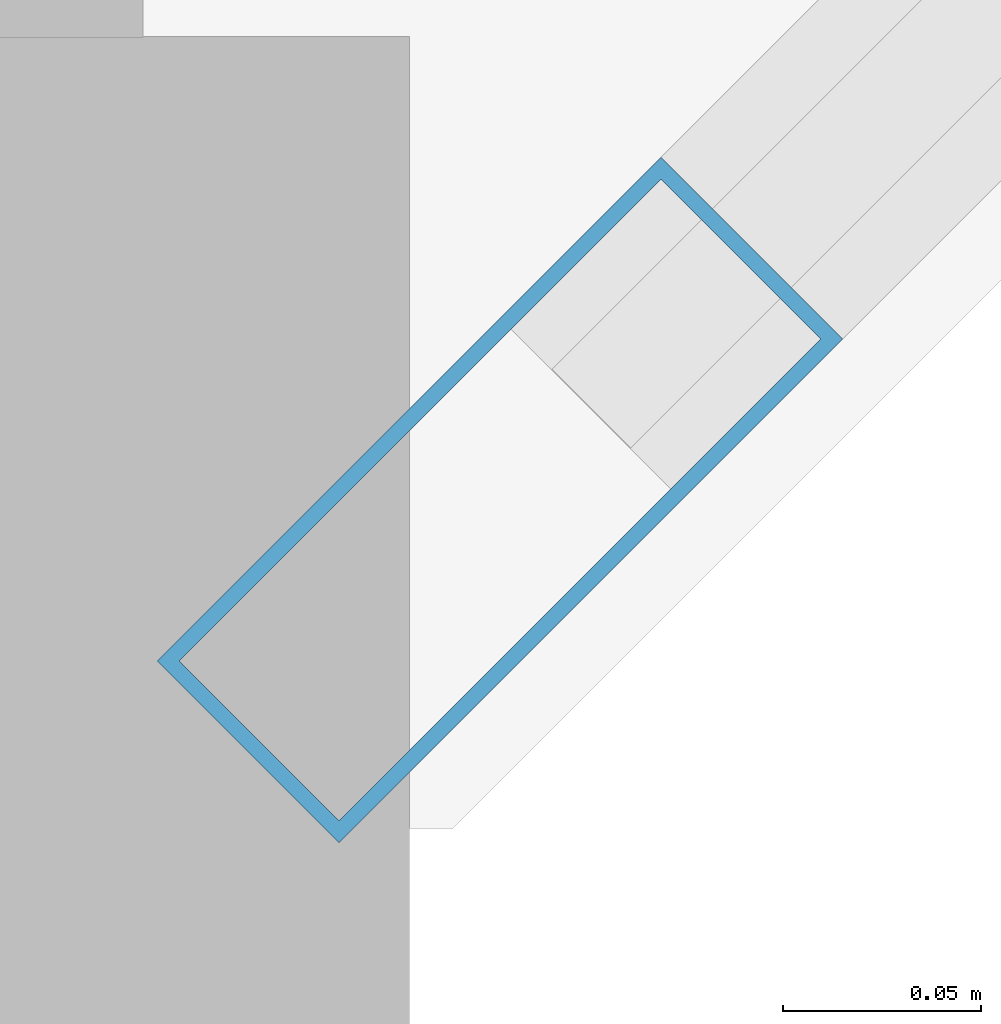
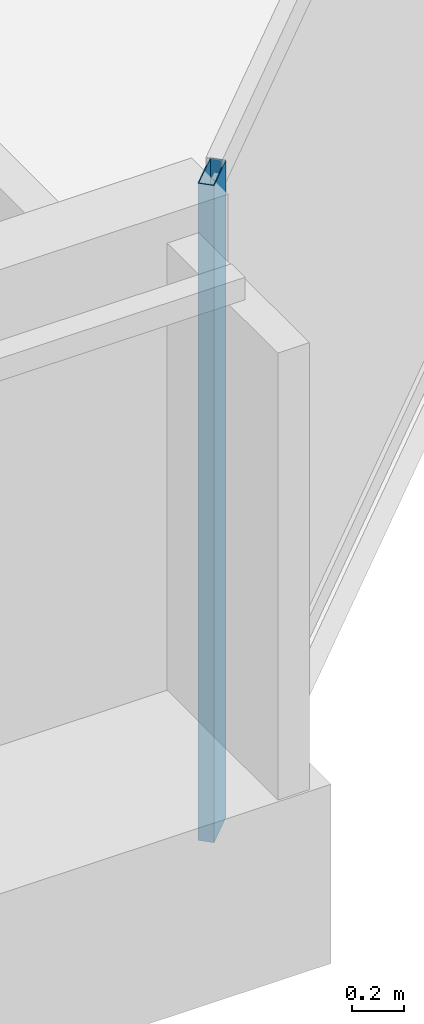
# One storey, part 13 of 34: 1 member, 1 element without a shape of its own.
"""IFC4 building model written with IfcOpenShell, lengths in metres."""

from ifc_helpers import new_model, si_unit, direction, frame, origin, origin_2d, place, context, subcontext, project, spatial, hollow_rectangle, extrude, material, layer, layer_set, material_profile, profile_set, type_object, element, aggregate, save


model = new_model("IFC4")

# Units and contexts
model_context = context("Model", 3, precision=1e-05, world=origin(), true_north=direction((0.0, 1.0)))
body_context = subcontext(model_context, "Body", "Model", "MODEL_VIEW")
ifc_project = project(units=[si_unit("LENGTHUNIT", "METRE"), si_unit("AREAUNIT", "SQUARE_METRE"), si_unit("VOLUMEUNIT", "CUBIC_METRE"), si_unit("PLANEANGLEUNIT", "RADIAN"), si_unit("MASSUNIT", "GRAM", prefix="KILO")], contexts=[model_context])

# Site, building, storey
site_placement = place(None, origin())
site = spatial("IfcSite", under=ifc_project, at=site_placement, CompositionType="ELEMENT")
building_placement = place(site_placement, origin())
building = spatial("IfcBuilding", under=site, at=building_placement, Name="Tanjung Sevakor Pilgrim Tower", CompositionType="ELEMENT")
storey_placement = place(building_placement, frame((0.0, 0.0, 55.43994140625)))
storey = spatial("IfcBuildingStorey", under=building, at=storey_placement, Name="L15", CompositionType="ELEMENT", Elevation=55.43994140625)

# Curtain wall, member
ifc_material_1 = material(Name="Aluminium 6063-T6 and Low-E Glass", Category="aluminium")
ifc_layer = layer(ifc_material_1, 0.179931640625)
ifc_layer_set = layer_set([ifc_layer], Name="CW-SYS-CHAM")
curtain_wall_type = type_object("IfcCurtainWallType", Name="CW-SYS-CHAM", PredefinedType="NOTDEFINED", material=ifc_layer_set)
curtain_wall_placement = place(storey_placement, origin())
curtain_wall = element("IfcCurtainWall", 1, at=curtain_wall_placement, inside=storey, type_object=curtain_wall_type, Name="L15 Curtain Wall CW-CHM-L15-MAIN-5", PredefinedType="NOTDEFINED")
ifc_material_2 = material(Name="Aluminium 6063-T6", Category="aluminium")
ifc_material_profile = material_profile(ifc_material_2, hollow_rectangle(XDim=0.06494140625, YDim=0.179931640625, WallThickness=0.00390625, at=origin_2d()))
ifc_profile_set = profile_set([ifc_material_profile], Name="Aluminium 6063-T6")
member_type = type_object("IfcMemberType", Name="TYPE-CWM-1", PredefinedType="MULLION", material=ifc_profile_set)
member_placement = place(storey_placement, frame((96.56494140625, 7.762939453125, 0.0), z_axis=(0.0, 0.0, 1.0), x_axis=(-0.707106781187, 0.707106781187, 0.0)))
member = element("IfcMember", 2, at=member_placement, type_object=member_type, Name="CW-CHM mullion 1", PredefinedType="MULLION", context=body_context, shape_type="SweptSolid", body=[
    extrude(hollow_rectangle(XDim=0.06494140625, YDim=0.179931640625, WallThickness=0.00390625, at=origin_2d()), origin(), (0.0, 0.0, 1.0), 3.080078125),
])
aggregate(curtain_wall, [member])

save(model, "model.ifc")
